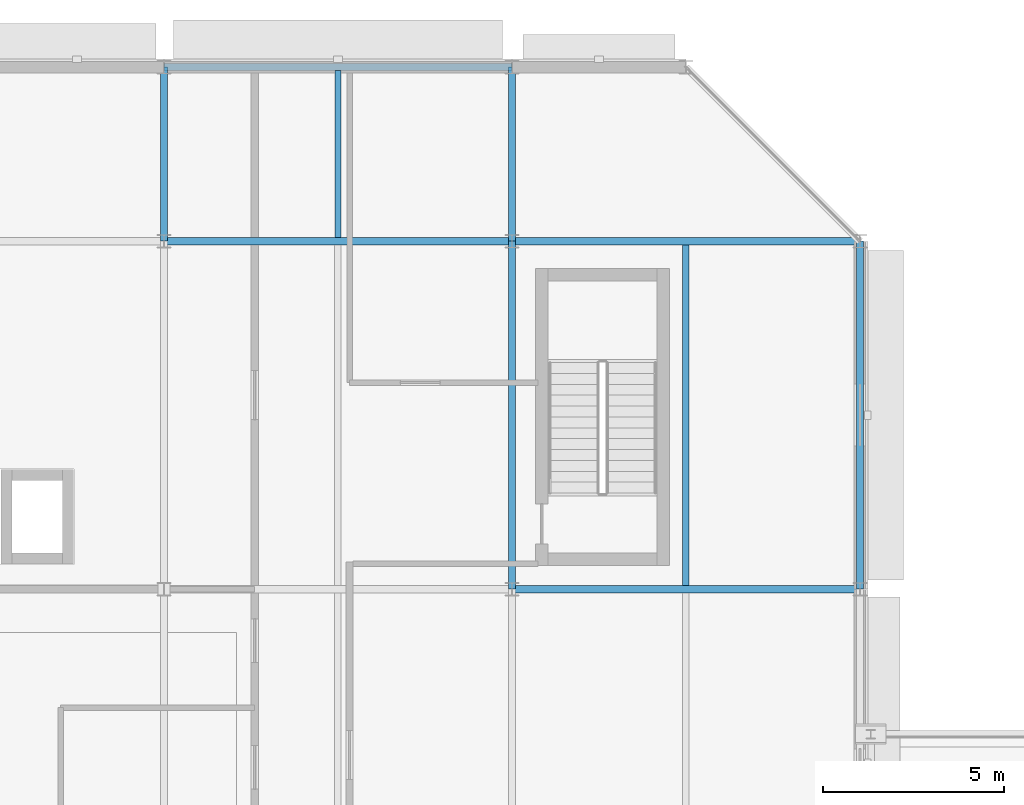
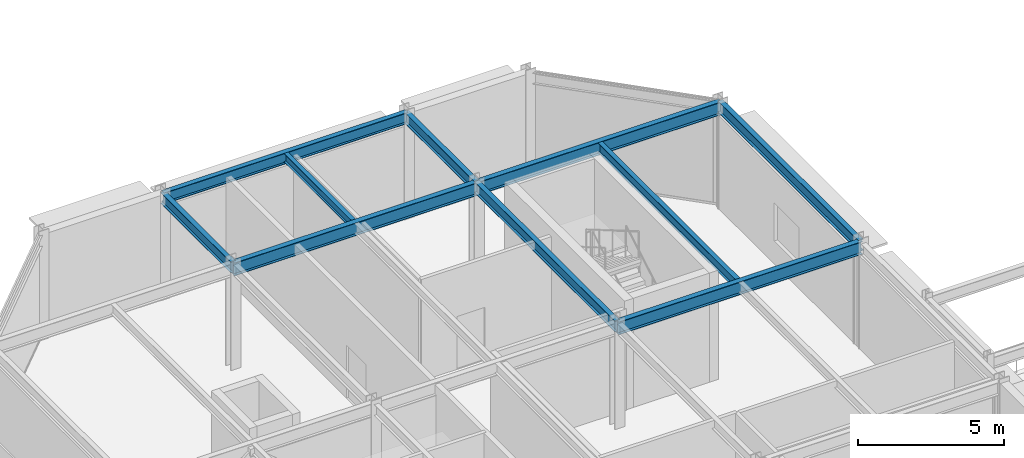
# One storey, part 71 of 157: 10 beams.
"""IFC4 building model written with IfcOpenShell, lengths in metres."""

from ifc_helpers import new_model, si_unit, direction, frame, origin, origin_2d, place, context, subcontext, project, spatial, i_section, extrude, material, material_profile, profile_set, type_object, element, save


model = new_model("IFC4")

# Units and contexts
model_context = context("Model", 3, precision=1e-05, world=origin(), true_north=direction((0.0, 1.0)))
body_context = subcontext(model_context, "Body", "Model", "MODEL_VIEW")
ifc_project = project(units=[si_unit("LENGTHUNIT", "METRE"), si_unit("AREAUNIT", "SQUARE_METRE"), si_unit("VOLUMEUNIT", "CUBIC_METRE"), si_unit("PLANEANGLEUNIT", "RADIAN"), si_unit("MASSUNIT", "GRAM", prefix="KILO")], contexts=[model_context])

# Site, building, storey
site_placement = place(None, origin())
site = spatial("IfcSite", under=ifc_project, at=site_placement, CompositionType="ELEMENT")
building_placement = place(site_placement, origin())
building = spatial("IfcBuilding", under=site, at=building_placement, Name="Almandine Court Research Institute", CompositionType="ELEMENT")
storey_placement = place(building_placement, frame((0.0, 0.0, 5.25)))
storey = spatial("IfcBuildingStorey", under=building, at=storey_placement, Name="L01", CompositionType="ELEMENT", Elevation=5.25)

# Beams
ifc_material = material(Name="Steel ASTM A992 Grade 50", Category="steel")
ifc_material_profile_1 = material_profile(ifc_material, i_section(OverallWidth=0.18994140625, OverallDepth=0.45703125, WebThickness=0.009033203125, FlangeThickness=0.014892578125, at=origin_2d()), Name="W460x74")
ifc_profile_set_1 = profile_set([ifc_material_profile_1], Name="Steel ASTM A992 Grade 50")
beam_type_1 = type_object("IfcBeamType", Name="Beam-B-01", PredefinedType="BEAM", material=ifc_profile_set_1)
beam_1_placement = place(storey_placement, frame((25.199951171875, 103.199951171875, 4.14111328125), z_axis=(0.0, 1.0, 0.0), x_axis=(-1.0, 0.0, 0.0)))
element("IfcBeam", 1, at=beam_1_placement, inside=storey, type_object=beam_type_1, Name="L01 V3 Primary Y Girder", PredefinedType="BEAM", context=body_context, shape_type="SweptSolid", body=[
    extrude(i_section(OverallWidth=0.18994140625, OverallDepth=0.45703125, WebThickness=0.009033203125, FlangeThickness=0.014892578125, at=origin_2d()), origin(), (0.0, 0.0, 1.0), 9.60009765625),
])
for number, where, z_axis, x_axis, name in (
    (2, (15.60009765625, 112.800048828125, 4.14111328125), (0.0, 1.0, 0.0), (-1.0, 0.0, 0.0), "L01 V3 Primary Y Girder"),
    (3, (25.199951171875, 112.800048828125, 4.14111328125), (0.0, 1.0, 0.0), (-1.0, 0.0, 0.0), "L01 V3 Primary Y Girder"),
):
    element("IfcBeam", number, at=place(storey_placement, frame(where, z_axis=z_axis, x_axis=x_axis)), inside=storey, type_object=beam_type_1, Name=name, PredefinedType="BEAM", context=body_context, shape_type="SweptSolid", body=[
        extrude(i_section(OverallWidth=0.18994140625, OverallDepth=0.45703125, WebThickness=0.009033203125, FlangeThickness=0.014892578125, at=origin_2d()), origin(), (0.0, 0.0, 1.0), 4.800048828125),
    ])
ifc_material_profile_2 = material_profile(ifc_material, i_section(OverallWidth=0.178955078125, OverallDepth=0.409912109375, WebThickness=0.009033203125, FlangeThickness=0.013916015625, at=origin_2d()), Name="W410x67")
ifc_profile_set_2 = profile_set([ifc_material_profile_2], Name="Steel ASTM A992 Grade 50")
beam_type_2 = type_object("IfcBeamType", Name="Beam-B-02", PredefinedType="JOIST", material=ifc_profile_set_2)
beam_2_placement = place(storey_placement, frame((30.0, 103.302978515625, 4.1650390625), z_axis=(0.0, 1.0, 0.0), x_axis=(-1.0, 0.0, 0.0)))
element("IfcBeam", 4, at=beam_2_placement, inside=storey, type_object=beam_type_2, Name="L01 V3 Composite Secondary Beam", PredefinedType="JOIST", context=body_context, shape_type="SweptSolid", body=[
    extrude(i_section(OverallWidth=0.178955078125, OverallDepth=0.409912109375, WebThickness=0.009033203125, FlangeThickness=0.013916015625, at=origin_2d()), origin(), (0.0, 0.0, 1.0), 9.39404296875),
])
ifc_material_profile_3 = material_profile(ifc_material, i_section(OverallWidth=0.172119140625, OverallDepth=0.35791015625, WebThickness=0.008056640625, FlangeThickness=0.012939453125, at=origin_2d()), Name="W360x57")
ifc_profile_set_3 = profile_set([ifc_material_profile_3], Name="Steel ASTM A992 Grade 50")
beam_type_3 = type_object("IfcBeamType", Name="Beam-B-03", PredefinedType="JOIST", material=ifc_profile_set_3)
beam_3_placement = place(storey_placement, frame((20.39990234375, 112.903076171875, 4.19091796875), z_axis=(0.0, 1.0, 0.0), x_axis=(-1.0, 0.0, 0.0)))
element("IfcBeam", 5, at=beam_3_placement, inside=storey, type_object=beam_type_3, Name="L01 V3 Composite Secondary Beam", PredefinedType="JOIST", context=body_context, shape_type="SweptSolid", body=[
    extrude(i_section(OverallWidth=0.172119140625, OverallDepth=0.35791015625, WebThickness=0.008056640625, FlangeThickness=0.012939453125, at=origin_2d()), origin(), (0.0, 0.0, 1.0), 4.601806640625),
])
ifc_material_profile_4 = material_profile(ifc_material, i_section(OverallWidth=0.2109375, OverallDepth=0.5390625, WebThickness=0.011962890625, FlangeThickness=0.01904296875, at=origin_2d()), Name="W530x109")
ifc_profile_set_4 = profile_set([ifc_material_profile_4], Name="Steel ASTM A992 Grade 50")
beam_type_4 = type_object("IfcBeamType", Name="Beam-G-04", PredefinedType="BEAM", material=ifc_profile_set_4)
beam_4_placement = place(storey_placement, frame((25.199951171875, 103.199951171875, 4.10009765625), z_axis=(1.0, 0.0, 0.0), x_axis=(0.0, 1.0, 0.0)))
element("IfcBeam", 6, at=beam_4_placement, inside=storey, type_object=beam_type_4, Name="L01 V3 Primary X Girder", PredefinedType="BEAM", context=body_context, shape_type="SweptSolid", body=[
    extrude(i_section(OverallWidth=0.2109375, OverallDepth=0.5390625, WebThickness=0.011962890625, FlangeThickness=0.01904296875, at=origin_2d()), origin(), (0.0, 0.0, 1.0), 9.60009765625),
])
beam_5_placement = place(storey_placement, frame((15.60009765625, 112.800048828125, 4.10009765625), z_axis=(1.0, 0.0, 0.0), x_axis=(0.0, 1.0, 0.0)))
element("IfcBeam", 7, at=beam_5_placement, inside=storey, type_object=beam_type_4, Name="L01 V3 Primary X Girder", PredefinedType="BEAM", context=body_context, shape_type="SweptSolid", body=[
    extrude(i_section(OverallWidth=0.2109375, OverallDepth=0.5390625, WebThickness=0.011962890625, FlangeThickness=0.01904296875, at=origin_2d()), origin(), (0.0, 0.0, 1.0), 9.599853515625),
])
beam_6_placement = place(storey_placement, frame((25.199951171875, 112.800048828125, 4.10009765625), z_axis=(1.0, 0.0, 0.0), x_axis=(0.0, 1.0, 0.0)))
element("IfcBeam", 8, at=beam_6_placement, inside=storey, type_object=beam_type_4, Name="L01 V3 Primary X Girder", PredefinedType="BEAM", context=body_context, shape_type="SweptSolid", body=[
    extrude(i_section(OverallWidth=0.2109375, OverallDepth=0.5390625, WebThickness=0.011962890625, FlangeThickness=0.01904296875, at=origin_2d()), origin(), (0.0, 0.0, 1.0), 9.60009765625),
])
ifc_material_profile_5 = material_profile(ifc_material, i_section(OverallWidth=0.193115234375, OverallDepth=0.466064453125, WebThickness=0.010986328125, FlangeThickness=0.01904296875, at=origin_2d()), Name="W460x97")
ifc_profile_set_5 = profile_set([ifc_material_profile_5], Name="Steel ASTM A992 Grade 50")
beam_type_5 = type_object("IfcBeamType", Name="Beam-G-06-E", PredefinedType="SPANDREL", material=ifc_profile_set_5)
beam_7_placement = place(storey_placement, frame((15.60009765625, 117.60009765625, 4.136962890625), z_axis=(1.0, 0.0, 0.0), x_axis=(0.0, 1.0, 0.0)))
element("IfcBeam", 9, at=beam_7_placement, inside=storey, type_object=beam_type_5, Name="L01 V3 Primary X Girder", PredefinedType="SPANDREL", context=body_context, shape_type="SweptSolid", body=[
    extrude(i_section(OverallWidth=0.193115234375, OverallDepth=0.466064453125, WebThickness=0.010986328125, FlangeThickness=0.01904296875, at=origin_2d()), origin(), (0.0, 0.0, 1.0), 9.599853515625),
])
beam_8_placement = place(storey_placement, frame((34.800048828125, 103.199951171875, 4.136962890625), z_axis=(0.0, 1.0, 0.0), x_axis=(-1.0, 0.0, 0.0)))
element("IfcBeam", 10, at=beam_8_placement, inside=storey, type_object=beam_type_5, Name="L01 V3 Primary Y Girder", PredefinedType="SPANDREL", context=body_context, shape_type="SweptSolid", body=[
    extrude(i_section(OverallWidth=0.193115234375, OverallDepth=0.466064453125, WebThickness=0.010986328125, FlangeThickness=0.01904296875, at=origin_2d()), origin(), (0.0, 0.0, 1.0), 9.60009765625),
])

save(model, "model.ifc")
